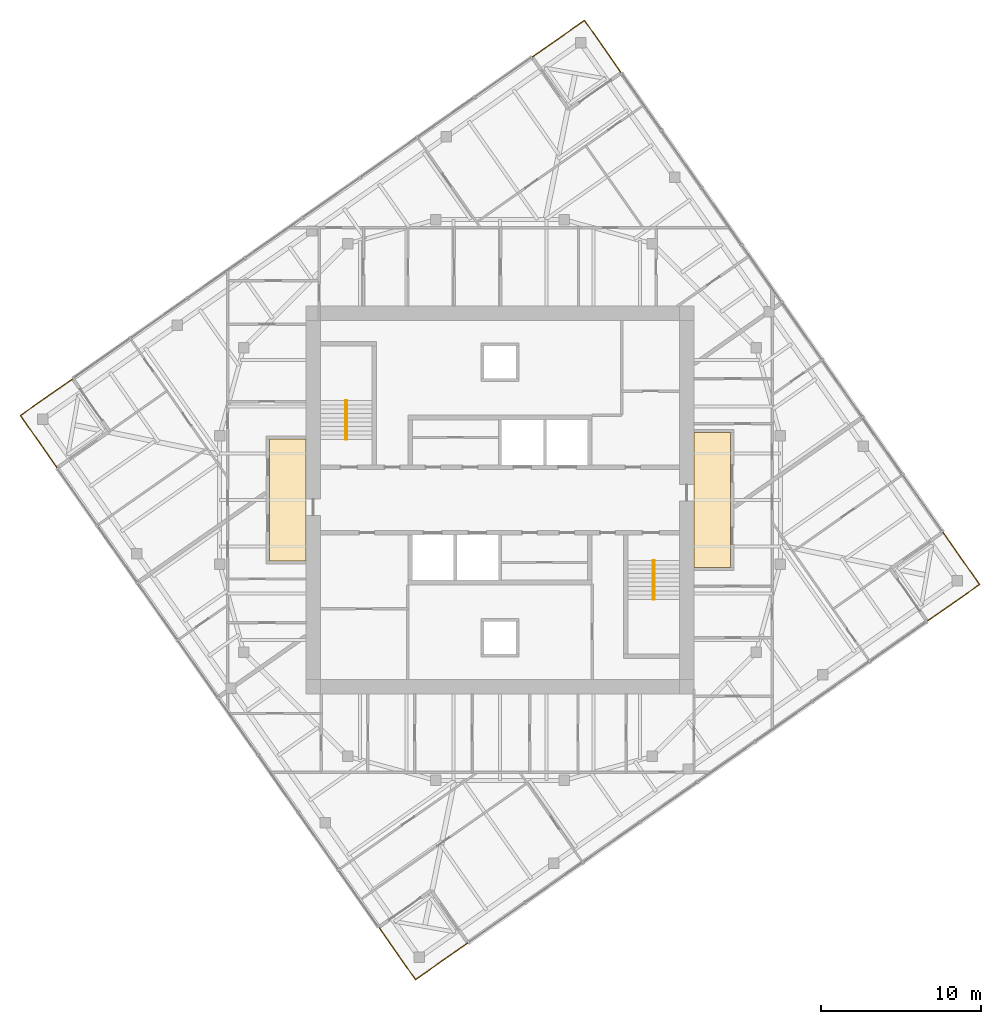
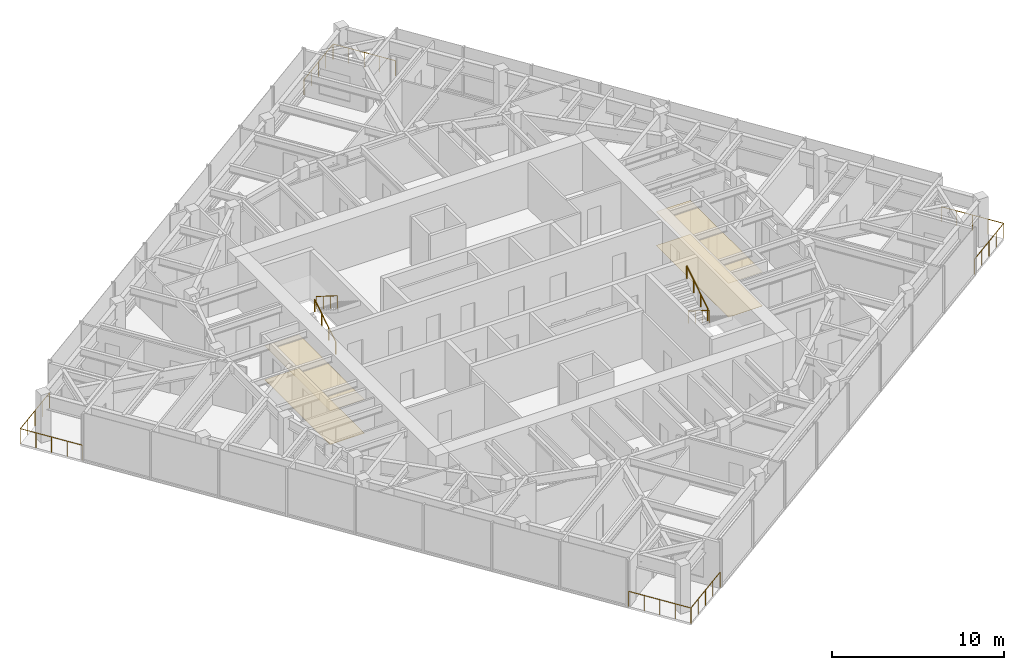
# One storey, part 12 of 12: 8 railings, 4 coverings, 2 elements without a shape of their own.
"""IFC4 building model written with IfcOpenShell, lengths in metres."""

import ifcopenshell
import ifcopenshell.guid

model = None  # the IFC model being written
_history = None  # IfcOwnerHistory: only IFC2X3 demands one
_inside = {}  # id of a spatial element -> (the spatial element, [elements in it])
_under = {}  # id of a project, library or spatial element -> (it, [spatial elements below it])
_declared = {}  # id of a project -> (the project, [libraries it declares])
_typed = {}  # id of a type object -> (the type object, [elements of that type])
_made_of = {}  # id of a material, layer set ... -> (it, [elements and type objects made of it])


def new_model(schema):
    """Start an empty IFC model of exactly this schema.

    Asked for "IFC4X3", IfcOpenShell would pick the latest addendum, in which some entities
    have other attributes; the version numbers below select the first issue.
    IFC2X3 requires an IfcOwnerHistory on every rooted entity: one is made here for all.
    """
    global model, _history
    if schema == "IFC4X3":
        model = ifcopenshell.file(schema_version=(4, 3, 0, 0))
    else:
        model = ifcopenshell.file(schema=schema)
    _inside.clear()
    _under.clear()
    _declared.clear()
    _typed.clear()
    _made_of.clear()
    _history = None
    if model.schema == "IFC2X3":
        org = make("IfcOrganization", Name="unknown")
        user = make(
            "IfcPersonAndOrganization",
            ThePerson=make("IfcPerson", FamilyName="unknown"),
            TheOrganization=org,
        )
        app = make(
            "IfcApplication",
            ApplicationDeveloper=org,
            Version="unknown",
            ApplicationFullName="unknown",
            ApplicationIdentifier="unknown",
        )
        _history = make(
            "IfcOwnerHistory",
            OwningUser=user,
            OwningApplication=app,
            ChangeAction="ADDED",
            CreationDate=0,
        )
    return model


def make(cls, **values):
    """One entity of the class cls with the attributes given. An attribute that is None is left unset."""
    return model.create_entity(
        cls, **{name: value for name, value in values.items() if value is not None}
    )


def rooted(cls, **values):
    """An entity with a GlobalId (a new one), such as an element, a storey or a relation."""
    return make(cls, GlobalId=ifcopenshell.guid.new(), OwnerHistory=_history, **values)


def si_unit(unit_type, name, prefix=None):
    """IfcSIUnit, for example si_unit("LENGTHUNIT", "METRE", prefix="MILLI")."""
    return make("IfcSIUnit", UnitType=unit_type, Prefix=prefix, Name=name)


def assignment(units):
    """IfcUnitAssignment: the units of a project."""
    return None if units is None else make("IfcUnitAssignment", Units=units)


def point(xyz):
    """IfcCartesianPoint."""
    return None if xyz is None else make("IfcCartesianPoint", Coordinates=xyz)


def direction(xyz):
    """IfcDirection."""
    return None if xyz is None else make("IfcDirection", DirectionRatios=xyz)


def frame(location, z_axis=None, x_axis=None):
    """IfcAxis2Placement3D, a coordinate frame: its origin and axes. An axis left out is left unset."""
    return make(
        "IfcAxis2Placement3D",
        Location=point(location),
        Axis=direction(z_axis),
        RefDirection=direction(x_axis),
    )


def frame_2d(location, x_axis=None):
    """IfcAxis2Placement2D, a coordinate frame in the plane: its origin and x axis."""
    return make(
        "IfcAxis2Placement2D", Location=point(location), RefDirection=direction(x_axis)
    )


def origin():
    """The frame at (0, 0, 0) with its axes left unset."""
    return frame((0.0, 0.0, 0.0))


def origin_2d():
    """The frame at (0, 0) in the plane with its x axis left unset."""
    return frame_2d((0.0, 0.0))


def place(relative_to, where):
    """IfcLocalPlacement: puts the frame where relative to a parent placement (None: the world)."""
    return make(
        "IfcLocalPlacement", PlacementRelTo=relative_to, RelativePlacement=where
    )


def context(
    kind, dimensions, precision=None, world=None, true_north=None, identifier=None
):
    """IfcGeometricRepresentationContext, for example the 3D "Model" context."""
    return make(
        "IfcGeometricRepresentationContext",
        ContextIdentifier=identifier,
        ContextType=kind,
        CoordinateSpaceDimension=dimensions,
        Precision=precision,
        WorldCoordinateSystem=world,
        TrueNorth=true_north,
    )


def subcontext(parent, identifier, kind, view, scale=None):
    """IfcGeometricRepresentationSubContext, for example "Body" below "Model"."""
    return make(
        "IfcGeometricRepresentationSubContext",
        ContextIdentifier=identifier,
        ContextType=kind,
        ParentContext=parent,
        TargetScale=scale,
        TargetView=view,
    )


def project(units=None, contexts=None):
    """IfcProject with its units and contexts."""
    return rooted(
        "IfcProject",
        Name="project",
        RepresentationContexts=contexts,
        UnitsInContext=assignment(units),
    )


def spatial(cls, under=None, at=None, **own):
    """A site, building, storey or space (cls), placed at a placement, below another one or the project."""
    s = rooted(cls, ObjectPlacement=at, **own)
    if under is not None:
        _under.setdefault(under.id(), (under, []))[1].append(s)
    return s


def polyline(points):
    """IfcPolyline through the points."""
    return make("IfcPolyline", Points=[point(p) for p in points])


def profile(cls, at=None, kind="AREA", **sizes):
    """A parametric profile (cls). Its sizes go by their IFC names, for example OverallWidth=200.0."""
    return make(cls, ProfileType=kind, Position=at, **sizes)


def circle(**sizes):
    """IfcCircleProfileDef."""
    return profile("IfcCircleProfileDef", **sizes)


def outline(outer, holes=None, kind="AREA"):
    """IfcArbitraryClosedProfileDef: a profile drawn as a closed curve; with holes, ...WithVoids."""
    if holes is None:
        return make("IfcArbitraryClosedProfileDef", ProfileType=kind, OuterCurve=outer)
    return make(
        "IfcArbitraryProfileDefWithVoids",
        ProfileType=kind,
        OuterCurve=outer,
        InnerCurves=holes,
    )


def extrude(swept, where, along, depth):
    """IfcExtrudedAreaSolid: the profile swept, set in the frame where, extruded along a direction by depth."""
    return make(
        "IfcExtrudedAreaSolid",
        SweptArea=swept,
        Position=where,
        ExtrudedDirection=direction(along),
        Depth=depth,
    )


def shape(context_of_items, identifier, shape_type, items):
    """IfcShapeRepresentation: the items that make up one representation, for example the "Body"."""
    return make(
        "IfcShapeRepresentation",
        ContextOfItems=context_of_items,
        RepresentationIdentifier=identifier,
        RepresentationType=shape_type,
        Items=items,
    )


def material(Name=None, Category=None):
    """IfcMaterial."""
    return make("IfcMaterial", Name=Name, Category=Category)


def layer(
    of_material, thickness, ventilated=None, Name=None, Category=None, Priority=None
):
    """IfcMaterialLayer: one layer of a wall or slab, of a material (None: an air gap)."""
    return make(
        "IfcMaterialLayer",
        Material=of_material,
        LayerThickness=thickness,
        IsVentilated=ventilated,
        Name=Name,
        Category=Category,
        Priority=Priority,
    )


def layer_set(layers, Name=None):
    """IfcMaterialLayerSet."""
    return make("IfcMaterialLayerSet", MaterialLayers=layers, LayerSetName=Name)


def made_of(thing, what):
    """Note that an element or type object is made of a material, layer set ...; save() writes the relation."""
    if what is not None:
        _made_of.setdefault(what.id(), (what, []))[1].append(thing)
    return thing


def type_object(cls, material=None, **own):
    """A type object (cls), such as IfcWallType, which elements share."""
    return made_of(rooted(cls, **own), material)


def element(
    cls,
    number,
    at=None,
    inside=None,
    cuts=None,
    type_object=None,
    material=None,
    context=None,
    identifier="Body",
    shape_type=None,
    held_by="IfcProductDefinitionShape",
    body=None,
    shapes=None,
    **own,
):
    """One element of the class cls, such as IfcWall. Its Tag is "e" and its number.

    at: its placement. inside: the storey or other place that contains it. cuts: it is an
    opening in that element (IfcRelVoidsElement). A single representation is given by context,
    identifier, shape_type and body (its items); several are given by shapes. held_by: the class
    of the entity that holds the representations. save() writes the other relations.
    """
    e = rooted(cls, Tag="e%d" % number, ObjectPlacement=at, **own)
    if body is not None:
        shapes = [shape(context, identifier, shape_type, body)]
    if shapes is not None:
        e.Representation = make(held_by, Representations=shapes)
    if inside is not None:
        _inside.setdefault(inside.id(), (inside, []))[1].append(e)
    if cuts is not None:
        rooted(
            "IfcRelVoidsElement", RelatingBuildingElement=cuts, RelatedOpeningElement=e
        )
    if type_object is not None:
        _typed.setdefault(type_object.id(), (type_object, []))[1].append(e)
    return made_of(e, material)


def aggregate(whole, parts):
    """IfcRelAggregates: a whole, such as a stair, and the parts it consists of."""
    return rooted("IfcRelAggregates", RelatingObject=whole, RelatedObjects=parts)


def save(model, path):
    """Write the relations noted so far, then the file.

    IfcRelAggregates (storeys below a building ...), IfcRelContainedInSpatialStructure (elements
    in a storey), IfcRelDefinesByType, IfcRelAssociatesMaterial and IfcRelDeclares: one each for
    every whole, place, type object, material and project.
    """
    for whole, parts in _under.values():
        aggregate(whole, parts)
    for where, things in _inside.values():
        rooted(
            "IfcRelContainedInSpatialStructure",
            RelatedElements=things,
            RelatingStructure=where,
        )
    for kind, things in _typed.values():
        rooted("IfcRelDefinesByType", RelatedObjects=things, RelatingType=kind)
    for what, things in _made_of.values():
        rooted("IfcRelAssociatesMaterial", RelatedObjects=things, RelatingMaterial=what)
    for by, libraries in _declared.values():
        rooted("IfcRelDeclares", RelatingContext=by, RelatedDefinitions=libraries)
    model.write(path)


model = new_model("IFC4")

# Units and contexts
model_context = context("Model", 3, precision=1e-05, world=origin(), true_north=direction((0.0, 1.0)))
body_context = subcontext(model_context, "Body", "Model", "MODEL_VIEW")
ifc_project = project(units=[si_unit("LENGTHUNIT", "METRE"), si_unit("AREAUNIT", "SQUARE_METRE"), si_unit("VOLUMEUNIT", "CUBIC_METRE"), si_unit("PLANEANGLEUNIT", "RADIAN"), si_unit("MASSUNIT", "GRAM", prefix="KILO")], contexts=[model_context])

# Site, building, storey
site_placement = place(None, origin())
site = spatial("IfcSite", under=ifc_project, at=site_placement, CompositionType="ELEMENT")
building_placement = place(site_placement, origin())
building = spatial("IfcBuilding", under=site, at=building_placement, Name="Torsade Residences", CompositionType="ELEMENT")
storey_placement = place(building_placement, frame((0.0, 0.0, 240.39990234375)))
storey = spatial("IfcBuildingStorey", under=building, at=storey_placement, Name="L66", CompositionType="ELEMENT", Elevation=240.39990234375)

# Coverings
ifc_material_1 = material(Name="Nylon carpet tile on underlay", Category="textile")
ifc_layer_1 = layer(ifc_material_1, 0.010009765625)
ifc_layer_set_1 = layer_set([ifc_layer_1], Name="Nylon carpet tile on underlay")
covering_type_1 = type_object("IfcCoveringType", Name="CORRIDOR CARPET TILE 10", PredefinedType="FLOORING", material=ifc_layer_set_1)
covering_1_placement = place(storey_placement, origin())
element("IfcCovering", 1, at=covering_1_placement, inside=storey, type_object=covering_type_1, Name="Corridor carpet L66", PredefinedType="FLOORING", context=body_context, shape_type="SweptSolid", body=[
    extrude(outline(polyline([(54.39990234375, 25.800048828125), (54.39990234375, 34.199951171875), (52.10009765625, 34.199951171875), (52.10009765625, 25.800048828125), (54.39990234375, 25.800048828125)])), origin(), (0.0, 0.0, 1.0), 0.010009765625),
])
covering_2_placement = place(storey_placement, origin())
element("IfcCovering", 2, at=covering_2_placement, inside=storey, type_object=covering_type_1, Name="Corridor carpet west L66", PredefinedType="FLOORING", context=body_context, shape_type="SweptSolid", body=[
    extrude(outline(polyline([(27.89990234375, 26.199951171875), (27.89990234375, 33.800048828125), (25.60009765625, 33.800048828125), (25.60009765625, 26.199951171875), (27.89990234375, 26.199951171875)])), origin(), (0.0, 0.0, 1.0), 0.010009765625),
])
ifc_material_2 = material(Name="Plasterboard on suspended steel grid", Category="steel")
ifc_layer_2 = layer(ifc_material_2, 0.012939453125)
ifc_layer_set_2 = layer_set([ifc_layer_2], Name="Plasterboard on suspended steel grid")
covering_type_2 = type_object("IfcCoveringType", Name="CORRIDOR SUSPENDED CEILING 13", PredefinedType="CEILING", material=ifc_layer_set_2)
covering_3_placement = place(storey_placement, frame((0.0, 0.0, 2.400146484375)))
element("IfcCovering", 3, at=covering_3_placement, inside=storey, type_object=covering_type_2, Name="Corridor ceiling L66", PredefinedType="CEILING", context=body_context, shape_type="SweptSolid", body=[
    extrude(outline(polyline([(54.39990234375, 25.800048828125), (54.39990234375, 34.199951171875), (52.10009765625, 34.199951171875), (52.10009765625, 25.800048828125), (54.39990234375, 25.800048828125)])), origin(), (0.0, 0.0, 1.0), 0.012939453125),
])
covering_4_placement = place(storey_placement, frame((0.0, 0.0, 2.400146484375)))
element("IfcCovering", 4, at=covering_4_placement, inside=storey, type_object=covering_type_2, Name="Corridor ceiling west L66", PredefinedType="CEILING", context=body_context, shape_type="SweptSolid", body=[
    extrude(outline(polyline([(27.89990234375, 26.199951171875), (27.89990234375, 33.800048828125), (25.60009765625, 33.800048828125), (25.60009765625, 26.199951171875), (27.89990234375, 26.199951171875)])), origin(), (0.0, 0.0, 1.0), 0.012939453125),
])

# Stair, railings
ifc_material_3 = material(Name="Precast concrete 40 MPa", Category="concrete")
stair_type = type_object("IfcStairType", Name="HALF-TURN FIRE STAIR 1500x3400", PredefinedType="HALF_TURN_STAIR", material=ifc_material_3)
stair_1_placement = place(storey_placement, origin())
stair_1 = element("IfcStair", 5, at=stair_1_placement, inside=storey, type_object=stair_type, Name="Stair ST1 L66", PredefinedType="HALF_TURN_STAIR")
ifc_material_4 = material(Name="Steel handrail", Category="steel")
railing_type_1 = type_object("IfcRailingType", Name="STAIR HANDRAIL 900", PredefinedType="HANDRAIL", material=ifc_material_4)
railing_1_placement = place(storey_placement, frame((30.35009765625, 33.780029296875, 0.170166015625)))
railing_1 = element("IfcRailing", 6, at=railing_1_placement, type_object=railing_type_1, Name="Handrail ST1 flight 1 L66", PredefinedType="HANDRAIL", context=body_context, shape_type="SweptSolid", body=[
    extrude(circle(Radius=0.02392578125, at=origin_2d()), frame((0.0, 0.0, 0.8759765625), z_axis=(0.0, 0.846221481393, 0.532831309544), x_axis=(-1.0, 0.0, 0.0)), (0.0, 0.0, 1.0), 2.87158203125),
    extrude(circle(Radius=0.02099609375, at=origin_2d()), origin(), (0.0, 0.0, 1.0), 0.851806640625),
    extrude(circle(Radius=0.02099609375, at=origin_2d()), frame((0.0, 0.81005859375, 0.510009765625)), (0.0, 0.0, 1.0), 0.851806640625),
    extrude(circle(Radius=0.02099609375, at=origin_2d()), frame((0.0, 1.619873046875, 1.02001953125)), (0.0, 0.0, 1.0), 0.851806640625),
    extrude(circle(Radius=0.02099609375, at=origin_2d()), frame((0.0, 2.429931640625, 1.530029296875)), (0.0, 0.0, 1.0), 0.851806640625),
])
railing_2_placement = place(storey_placement, frame((30.449951171875, 36.2099609375, 1.8701171875)))
railing_2 = element("IfcRailing", 7, at=railing_2_placement, type_object=railing_type_1, Name="Handrail ST1 flight 2 L66", PredefinedType="HANDRAIL", context=body_context, shape_type="SweptSolid", body=[
    extrude(circle(Radius=0.02392578125, at=origin_2d()), frame((0.0, 0.0, 0.8759765625), z_axis=(0.0, -0.846221481393, 0.532831309544), x_axis=(1.0, 0.0, 0.0)), (0.0, 0.0, 1.0), 2.87158203125),
    extrude(circle(Radius=0.02099609375, at=origin_2d()), origin(), (0.0, 0.0, 1.0), 0.851806640625),
    extrude(circle(Radius=0.02099609375, at=origin_2d()), frame((0.0, -0.81005859375, 0.510009765625)), (0.0, 0.0, 1.0), 0.851806640625),
    extrude(circle(Radius=0.02099609375, at=origin_2d()), frame((0.0, -1.619873046875, 1.02001953125)), (0.0, 0.0, 1.0), 0.851806640625),
    extrude(circle(Radius=0.02099609375, at=origin_2d()), frame((0.0, -2.429931640625, 1.530029296875)), (0.0, 0.0, 1.0), 0.851806640625),
])
aggregate(stair_1, [railing_1, railing_2])

stair_2_placement = place(storey_placement, origin())
stair_2 = element("IfcStair", 8, at=stair_2_placement, inside=storey, type_object=stair_type, Name="Stair ST2 L66", PredefinedType="HALF_TURN_STAIR")
railing_3_placement = place(storey_placement, frame((49.64990234375, 26.219970703125, 0.170166015625)))
railing_3 = element("IfcRailing", 9, at=railing_3_placement, type_object=railing_type_1, Name="Handrail ST2 flight 1 L66", PredefinedType="HANDRAIL", context=body_context, shape_type="SweptSolid", body=[
    extrude(circle(Radius=0.02392578125, at=origin_2d()), frame((0.0, 0.0, 0.8759765625), z_axis=(0.0, -0.846221481393, 0.532831309544), x_axis=(1.0, 0.0, 0.0)), (0.0, 0.0, 1.0), 2.87158203125),
    extrude(circle(Radius=0.02099609375, at=origin_2d()), origin(), (0.0, 0.0, 1.0), 0.851806640625),
    extrude(circle(Radius=0.02099609375, at=origin_2d()), frame((0.0, -0.81005859375, 0.510009765625)), (0.0, 0.0, 1.0), 0.851806640625),
    extrude(circle(Radius=0.02099609375, at=origin_2d()), frame((0.0, -1.619873046875, 1.02001953125)), (0.0, 0.0, 1.0), 0.851806640625),
    extrude(circle(Radius=0.02099609375, at=origin_2d()), frame((0.0, -2.429931640625, 1.530029296875)), (0.0, 0.0, 1.0), 0.851806640625),
])
railing_4_placement = place(storey_placement, frame((49.550048828125, 23.7900390625, 1.8701171875)))
railing_4 = element("IfcRailing", 10, at=railing_4_placement, type_object=railing_type_1, Name="Handrail ST2 flight 2 L66", PredefinedType="HANDRAIL", context=body_context, shape_type="SweptSolid", body=[
    extrude(circle(Radius=0.02392578125, at=origin_2d()), frame((0.0, 0.0, 0.8759765625), z_axis=(0.0, 0.846221481393, 0.532831309544), x_axis=(-1.0, 0.0, 0.0)), (0.0, 0.0, 1.0), 2.87158203125),
    extrude(circle(Radius=0.02099609375, at=origin_2d()), origin(), (0.0, 0.0, 1.0), 0.851806640625),
    extrude(circle(Radius=0.02099609375, at=origin_2d()), frame((0.0, 0.81005859375, 0.510009765625)), (0.0, 0.0, 1.0), 0.851806640625),
    extrude(circle(Radius=0.02099609375, at=origin_2d()), frame((0.0, 1.619873046875, 1.02001953125)), (0.0, 0.0, 1.0), 0.851806640625),
    extrude(circle(Radius=0.02099609375, at=origin_2d()), frame((0.0, 2.429931640625, 1.530029296875)), (0.0, 0.0, 1.0), 0.851806640625),
])
aggregate(stair_2, [railing_3, railing_4])

# Railings
ifc_material_5 = material(Name="Laminated glass balustrade", Category="glass")
railing_type_2 = type_object("IfcRailingType", Name="TERRACE GLASS BALUSTRADE 1100", PredefinedType="BALUSTRADE", material=ifc_material_5)
railing_5_placement = place(storey_placement, frame((66.6669921875, 22.42578125, 0.0)))
element("IfcRailing", 11, at=railing_5_placement, inside=storey, type_object=railing_type_2, Name="Terrace balustrade SE L66", PredefinedType="BALUSTRADE", context=body_context, shape_type="SweptSolid", body=[
    extrude(circle(Radius=0.02392578125, at=origin_2d()), frame((0.0, 0.0, 1.076171875), z_axis=(0.819137286189, 0.573597512525, 0.0), x_axis=(-0.573597512525, 0.819137286189, 0.0)), (0.0, 0.0, 1.0), 4.0),
    extrude(circle(Radius=0.02392578125, at=origin_2d()), frame((3.276611328125, 2.29443359375, 1.076171875), z_axis=(-0.573556557423, 0.819165963305, 0.0), x_axis=(-0.819165963305, -0.573556557423, 0.0)), (0.0, 0.0, 1.0), 4.0),
    extrude(circle(Radius=0.02099609375, at=origin_2d()), origin(), (0.0, 0.0, 1.0), 1.052001953125),
    extrude(circle(Radius=0.02099609375, at=origin_2d()), frame((0.819091796875, 0.57373046875, 0.0)), (0.0, 0.0, 1.0), 1.052001953125),
    extrude(circle(Radius=0.02099609375, at=origin_2d()), frame((1.63818359375, 1.147216796875, 0.0)), (0.0, 0.0, 1.0), 1.052001953125),
    extrude(circle(Radius=0.02099609375, at=origin_2d()), frame((2.45751953125, 1.720703125, 0.0)), (0.0, 0.0, 1.0), 1.052001953125),
    extrude(circle(Radius=0.02099609375, at=origin_2d()), frame((3.276611328125, 2.29443359375, 0.0)), (0.0, 0.0, 1.0), 1.052001953125),
    extrude(circle(Radius=0.02099609375, at=origin_2d()), frame((2.703125, 3.113525390625, 0.0)), (0.0, 0.0, 1.0), 1.052001953125),
    extrude(circle(Radius=0.02099609375, at=origin_2d()), frame((2.12939453125, 3.9326171875, 0.0)), (0.0, 0.0, 1.0), 1.052001953125),
    extrude(circle(Radius=0.02099609375, at=origin_2d()), frame((1.555908203125, 4.751953125, 0.0)), (0.0, 0.0, 1.0), 1.052001953125),
    extrude(circle(Radius=0.02099609375, at=origin_2d()), frame((0.982421875, 5.571044921875, 0.0)), (0.0, 0.0, 1.0), 1.052001953125),
])
railing_6_placement = place(storey_placement, frame((47.57421875, 56.6669921875, 0.0)))
element("IfcRailing", 12, at=railing_6_placement, inside=storey, type_object=railing_type_2, Name="Terrace balustrade NE L66", PredefinedType="BALUSTRADE", context=body_context, shape_type="SweptSolid", body=[
    extrude(circle(Radius=0.02392578125, at=origin_2d()), frame((0.0, 0.0, 1.076171875), z_axis=(-0.573597512525, 0.819137286189, 0.0), x_axis=(-0.819137286189, -0.573597512525, 0.0)), (0.0, 0.0, 1.0), 4.0),
    extrude(circle(Radius=0.02392578125, at=origin_2d()), frame((-2.29443359375, 3.276611328125, 1.076171875), z_axis=(-0.819165963305, -0.573556557423, 0.0), x_axis=(0.573556557423, -0.819165963305, 0.0)), (0.0, 0.0, 1.0), 4.0),
    extrude(circle(Radius=0.02099609375, at=origin_2d()), origin(), (0.0, 0.0, 1.0), 1.052001953125),
    extrude(circle(Radius=0.02099609375, at=origin_2d()), frame((-0.57373046875, 0.819091796875, 0.0)), (0.0, 0.0, 1.0), 1.052001953125),
    extrude(circle(Radius=0.02099609375, at=origin_2d()), frame((-1.147216796875, 1.63818359375, 0.0)), (0.0, 0.0, 1.0), 1.052001953125),
    extrude(circle(Radius=0.02099609375, at=origin_2d()), frame((-1.720703125, 2.45751953125, 0.0)), (0.0, 0.0, 1.0), 1.052001953125),
    extrude(circle(Radius=0.02099609375, at=origin_2d()), frame((-2.29443359375, 3.276611328125, 0.0)), (0.0, 0.0, 1.0), 1.052001953125),
    extrude(circle(Radius=0.02099609375, at=origin_2d()), frame((-3.113525390625, 2.703125, 0.0)), (0.0, 0.0, 1.0), 1.052001953125),
    extrude(circle(Radius=0.02099609375, at=origin_2d()), frame((-3.9326171875, 2.12939453125, 0.0)), (0.0, 0.0, 1.0), 1.052001953125),
    extrude(circle(Radius=0.02099609375, at=origin_2d()), frame((-4.751953125, 1.555908203125, 0.0)), (0.0, 0.0, 1.0), 1.052001953125),
    extrude(circle(Radius=0.02099609375, at=origin_2d()), frame((-5.571044921875, 0.982421875, 0.0)), (0.0, 0.0, 1.0), 1.052001953125),
])
railing_7_placement = place(storey_placement, frame((13.3330078125, 37.57421875, 0.0)))
element("IfcRailing", 13, at=railing_7_placement, inside=storey, type_object=railing_type_2, Name="Terrace balustrade NW L66", PredefinedType="BALUSTRADE", context=body_context, shape_type="SweptSolid", body=[
    extrude(circle(Radius=0.02392578125, at=origin_2d()), frame((0.0, 0.0, 1.076171875), z_axis=(-0.819137286189, -0.573597512525, 0.0), x_axis=(0.573597512525, -0.819137286189, 0.0)), (0.0, 0.0, 1.0), 4.0),
    extrude(circle(Radius=0.02392578125, at=origin_2d()), frame((-3.276611328125, -2.29443359375, 1.076171875), z_axis=(0.573556557423, -0.819165963305, 0.0), x_axis=(0.819165963305, 0.573556557423, 0.0)), (0.0, 0.0, 1.0), 4.0),
    extrude(circle(Radius=0.02099609375, at=origin_2d()), origin(), (0.0, 0.0, 1.0), 1.052001953125),
    extrude(circle(Radius=0.02099609375, at=origin_2d()), frame((-0.819091796875, -0.57373046875, 0.0)), (0.0, 0.0, 1.0), 1.052001953125),
    extrude(circle(Radius=0.02099609375, at=origin_2d()), frame((-1.63818359375, -1.147216796875, 0.0)), (0.0, 0.0, 1.0), 1.052001953125),
    extrude(circle(Radius=0.02099609375, at=origin_2d()), frame((-2.45751953125, -1.720703125, 0.0)), (0.0, 0.0, 1.0), 1.052001953125),
    extrude(circle(Radius=0.02099609375, at=origin_2d()), frame((-3.276611328125, -2.29443359375, 0.0)), (0.0, 0.0, 1.0), 1.052001953125),
    extrude(circle(Radius=0.02099609375, at=origin_2d()), frame((-2.703125, -3.113525390625, 0.0)), (0.0, 0.0, 1.0), 1.052001953125),
    extrude(circle(Radius=0.02099609375, at=origin_2d()), frame((-2.12939453125, -3.9326171875, 0.0)), (0.0, 0.0, 1.0), 1.052001953125),
    extrude(circle(Radius=0.02099609375, at=origin_2d()), frame((-1.555908203125, -4.751953125, 0.0)), (0.0, 0.0, 1.0), 1.052001953125),
    extrude(circle(Radius=0.02099609375, at=origin_2d()), frame((-0.982421875, -5.571044921875, 0.0)), (0.0, 0.0, 1.0), 1.052001953125),
])
railing_8_placement = place(storey_placement, frame((32.42578125, 3.3330078125, 0.0)))
element("IfcRailing", 14, at=railing_8_placement, inside=storey, type_object=railing_type_2, Name="Terrace balustrade SW L66", PredefinedType="BALUSTRADE", context=body_context, shape_type="SweptSolid", body=[
    extrude(circle(Radius=0.02392578125, at=origin_2d()), frame((0.0, 0.0, 1.076171875), z_axis=(0.573597512525, -0.819137286189, 0.0), x_axis=(0.819137286189, 0.573597512525, 0.0)), (0.0, 0.0, 1.0), 4.0),
    extrude(circle(Radius=0.02392578125, at=origin_2d()), frame((2.29443359375, -3.276611328125, 1.076171875), z_axis=(0.819165963305, 0.573556557423, 0.0), x_axis=(-0.573556557423, 0.819165963305, 0.0)), (0.0, 0.0, 1.0), 4.0),
    extrude(circle(Radius=0.02099609375, at=origin_2d()), origin(), (0.0, 0.0, 1.0), 1.052001953125),
    extrude(circle(Radius=0.02099609375, at=origin_2d()), frame((0.57373046875, -0.819091796875, 0.0)), (0.0, 0.0, 1.0), 1.052001953125),
    extrude(circle(Radius=0.02099609375, at=origin_2d()), frame((1.147216796875, -1.63818359375, 0.0)), (0.0, 0.0, 1.0), 1.052001953125),
    extrude(circle(Radius=0.02099609375, at=origin_2d()), frame((1.720703125, -2.45751953125, 0.0)), (0.0, 0.0, 1.0), 1.052001953125),
    extrude(circle(Radius=0.02099609375, at=origin_2d()), frame((2.29443359375, -3.276611328125, 0.0)), (0.0, 0.0, 1.0), 1.052001953125),
    extrude(circle(Radius=0.02099609375, at=origin_2d()), frame((3.113525390625, -2.703125, 0.0)), (0.0, 0.0, 1.0), 1.052001953125),
    extrude(circle(Radius=0.02099609375, at=origin_2d()), frame((3.9326171875, -2.12939453125, 0.0)), (0.0, 0.0, 1.0), 1.052001953125),
    extrude(circle(Radius=0.02099609375, at=origin_2d()), frame((4.751953125, -1.555908203125, 0.0)), (0.0, 0.0, 1.0), 1.052001953125),
    extrude(circle(Radius=0.02099609375, at=origin_2d()), frame((5.571044921875, -0.982421875, 0.0)), (0.0, 0.0, 1.0), 1.052001953125),
])

save(model, "model.ifc")
